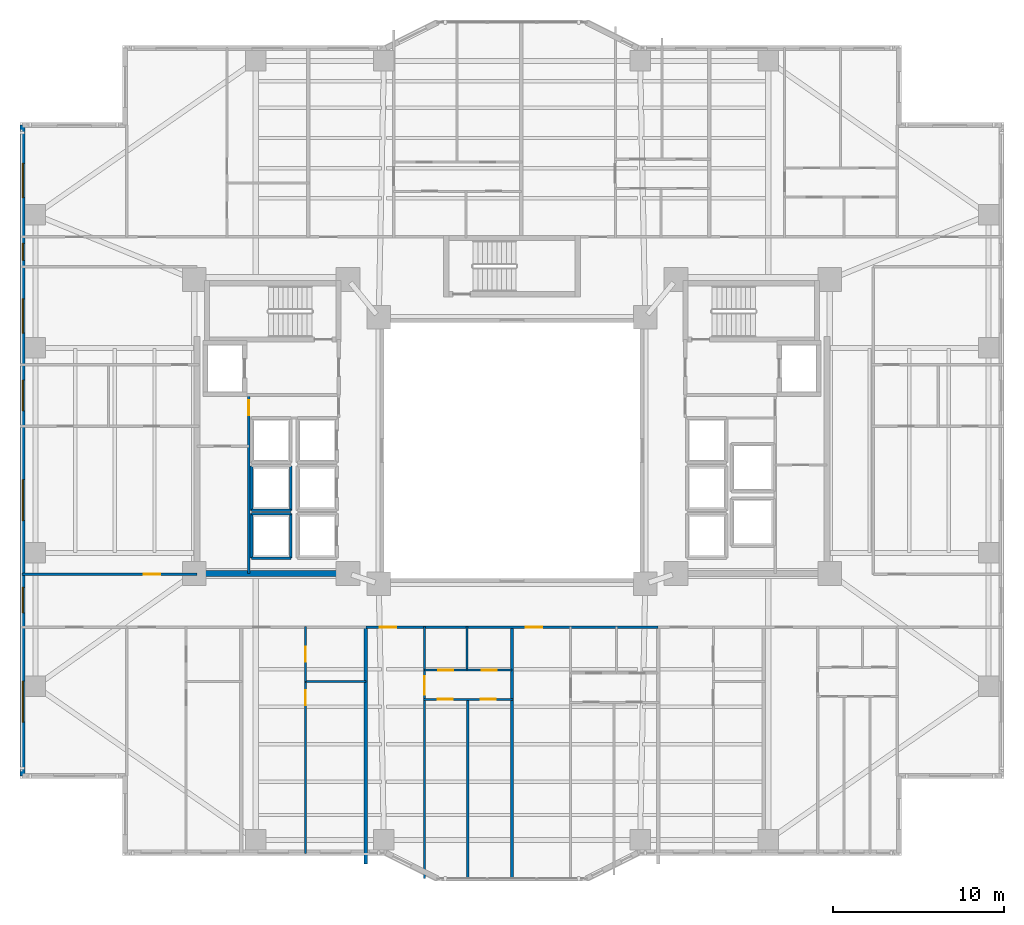
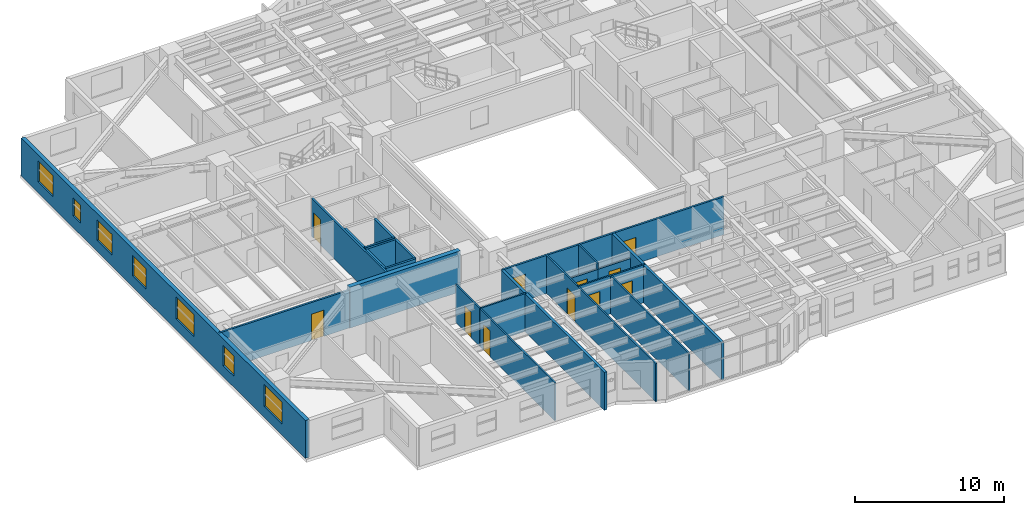
# One storey, part 10 of 21: 23 walls, 11 doors, 7 windows, 18 openings.
"""IFC4 building model written with IfcOpenShell, lengths in metres."""

from ifc_helpers import new_model, si_unit, direction, frame, frame_2d, origin, place, context, subcontext, project, spatial, rectangle, extrude, material, layer, layer_set, type_object, element, fill, save


model = new_model("IFC4")

# Units and contexts
model_context = context("Model", 3, precision=1e-05, world=origin(), true_north=direction((0.0, 1.0)))
body_context = subcontext(model_context, "Body", "Model", "MODEL_VIEW")
ifc_project = project(units=[si_unit("LENGTHUNIT", "METRE"), si_unit("AREAUNIT", "SQUARE_METRE"), si_unit("VOLUMEUNIT", "CUBIC_METRE"), si_unit("PLANEANGLEUNIT", "RADIAN"), si_unit("MASSUNIT", "GRAM", prefix="KILO")], contexts=[model_context])

# Site, building, storey
site_placement = place(None, origin())
site = spatial("IfcSite", under=ifc_project, at=site_placement, CompositionType="ELEMENT")
building_placement = place(site_placement, origin())
building = spatial("IfcBuilding", under=site, at=building_placement, Name="Tarnavaz Court Tower", CompositionType="ELEMENT")
storey_placement = place(building_placement, frame((0.0, 0.0, 24.0)))
storey = spatial("IfcBuildingStorey", under=building, at=storey_placement, Name="L05", CompositionType="ELEMENT", Elevation=24.0)

# Wall
ifc_material_1 = material(Name="Concrete C60/75", Category="concrete")
ifc_layer_1 = layer(ifc_material_1, 0.35009765625)
ifc_layer_set_1 = layer_set([ifc_layer_1], Name="Concrete C60/75")
wall_type_1 = type_object("IfcWallType", Name="WL-CORE-350-C60", PredefinedType="SHEAR", material=ifc_layer_set_1)
wall_1_placement = place(storey_placement, frame((-18.625, -7.199951171875, 0.0), z_axis=(0.0, 0.0, 1.0), x_axis=(1.0, 0.0, 0.0)))
element("IfcWall", 1, at=wall_1_placement, inside=storey, type_object=wall_type_1, Name="L05 West Core South Shear Wall 070", PredefinedType="SHEAR", context=body_context, shape_type="SweptSolid", body=[
    extrude(rectangle(XDim=8.550048828125, YDim=0.35009765625, at=frame_2d((4.27490234375, 0.0))), origin(), (0.0, 0.0, 1.0), 3.35009765625),
])

# Wall, openings, windows
ifc_material_2 = material(Name="Precast Concrete C40/50", Category="concrete")
ifc_layer_2 = layer(ifc_material_2, 0.300048828125)
ifc_layer_set_2 = layer_set([ifc_layer_2], Name="Precast Concrete C40/50")
wall_type_2 = type_object("IfcWallType", Name="WL-EXT-300", PredefinedType="SOLIDWALL", material=ifc_layer_set_2)
wall_2_placement = place(storey_placement, frame((-28.64990234375, -19.050048828125, 0.0), z_axis=(0.0, 0.0, 1.0), x_axis=(0.0, 1.0, 0.0)))
wall_2 = element("IfcWall", 2, at=wall_2_placement, inside=storey, type_object=wall_type_2, Name="L05 Exterior Terracotta Facade Wall 02", PredefinedType="SOLIDWALL", context=body_context, shape_type="SweptSolid", body=[
    extrude(rectangle(XDim=38.10009765625, YDim=0.300048828125, at=frame_2d((19.050048828125, 0.0))), origin(), (0.0, 0.0, 1.0), 3.10009765625),
])
opening_1_placement = place(wall_2_placement, frame((3.14990234375, 0.0, 0.89990234375)))
opening_1 = element("IfcOpeningElement", 3, at=opening_1_placement, cuts=wall_2, Name="Opening W06", PredefinedType="OPENING", context=body_context, shape_type="SweptSolid", body=[
    extrude(rectangle(XDim=2.39990234375, YDim=1.800048828125, at=frame_2d((1.199951171875, 0.89990234375))), frame((0.0, 0.159912109375, 0.0), z_axis=(0.0, -1.0, 0.0), x_axis=(1.0, 0.0, 0.0)), (0.0, 0.0, 1.0), 0.320068359375),
])
opening_2_placement = place(wall_2_placement, frame((9.54248046875, 0.0, 0.89990234375)))
opening_2 = element("IfcOpeningElement", 4, at=opening_2_placement, cuts=wall_2, Name="Opening W03", PredefinedType="OPENING", context=body_context, shape_type="SweptSolid", body=[
    extrude(rectangle(XDim=1.5, YDim=1.64990234375, at=frame_2d((0.75, 0.824951171875))), frame((0.0, 0.159912109375, 0.0), z_axis=(0.0, -1.0, 0.0), x_axis=(1.0, 0.0, 0.0)), (0.0, 0.0, 1.0), 0.320068359375),
])
opening_3_placement = place(wall_2_placement, frame((14.949951171875, 0.0, 0.89990234375)))
opening_3 = element("IfcOpeningElement", 5, at=opening_3_placement, cuts=wall_2, Name="Opening W06", PredefinedType="OPENING", context=body_context, shape_type="SweptSolid", body=[
    extrude(rectangle(XDim=2.39990234375, YDim=1.800048828125, at=frame_2d((1.199951171875, 0.89990234375))), frame((0.0, 0.159912109375, 0.0), z_axis=(0.0, -1.0, 0.0), x_axis=(1.0, 0.0, 0.0)), (0.0, 0.0, 1.0), 0.320068359375),
])
opening_4_placement = place(wall_2_placement, frame((21.375, 0.0, 0.89990234375)))
opening_4 = element("IfcOpeningElement", 6, at=opening_4_placement, cuts=wall_2, Name="Opening W01", PredefinedType="OPENING", context=body_context, shape_type="SweptSolid", body=[
    extrude(rectangle(XDim=1.800048828125, YDim=1.64990234375, at=frame_2d((0.89990234375, 0.824951171875))), frame((0.0, 0.159912109375, 0.0), z_axis=(0.0, -1.0, 0.0), x_axis=(1.0, 0.0, 0.0)), (0.0, 0.0, 1.0), 0.320068359375),
])
opening_5_placement = place(wall_2_placement, frame((25.925048828125, 0.0, 0.89990234375)))
opening_5 = element("IfcOpeningElement", 7, at=opening_5_placement, cuts=wall_2, Name="Opening W08", PredefinedType="OPENING", context=body_context, shape_type="SweptSolid", body=[
    extrude(rectangle(XDim=2.0, YDim=1.699951171875, at=frame_2d((1.0, 0.85009765625))), frame((0.0, 0.159912109375, 0.0), z_axis=(0.0, -1.0, 0.0), x_axis=(1.0, 0.0, 0.0)), (0.0, 0.0, 1.0), 0.320068359375),
])
opening_6_placement = place(wall_2_placement, frame((30.175048828125, 0.0, 0.949951171875)))
opening_6 = element("IfcOpeningElement", 8, at=opening_6_placement, cuts=wall_2, Name="Opening W14", PredefinedType="OPENING", context=body_context, shape_type="SweptSolid", body=[
    extrude(rectangle(XDim=1.0, YDim=1.5, at=frame_2d((0.5, 0.75))), frame((0.0, 0.159912109375, 0.0), z_axis=(0.0, -1.0, 0.0), x_axis=(1.0, 0.0, 0.0)), (0.0, 0.0, 1.0), 0.320068359375),
])
opening_7_placement = place(wall_2_placement, frame((33.85009765625, 0.0, 0.89990234375)))
opening_7 = element("IfcOpeningElement", 9, at=opening_7_placement, cuts=wall_2, Name="Opening W08", PredefinedType="OPENING", context=body_context, shape_type="SweptSolid", body=[
    extrude(rectangle(XDim=2.0, YDim=1.699951171875, at=frame_2d((1.0, 0.85009765625))), frame((0.0, 0.159912109375, 0.0), z_axis=(0.0, -1.0, 0.0), x_axis=(1.0, 0.0, 0.0)), (0.0, 0.0, 1.0), 0.320068359375),
])
ifc_material_3 = material(Name="Double-Glazed Solar Low-E Glass", Category="glass")
window_type_1 = type_object("IfcWindowType", Name="WN-APT-1000", PartitioningType="SINGLE_PANEL", PredefinedType="WINDOW", material=ifc_material_3)
window_1_placement = place(opening_6_placement, origin())
window_1 = element("IfcWindow", 10, at=window_1_placement, inside=storey, type_object=window_type_1, Name="L05 North-West Corner Corridor Window", OverallHeight=1.5, OverallWidth=1.0, PartitioningType="SINGLE_PANEL", PredefinedType="WINDOW", context=body_context, shape_type="SweptSolid", body=[
    extrude(rectangle(XDim=1.0, YDim=1.5, at=frame_2d((0.5, 0.75))), frame((0.0, 0.030029296875, 0.0), z_axis=(0.0, -1.0, 0.0), x_axis=(1.0, 0.0, 0.0)), (0.0, 0.0, 1.0), 0.06005859375),
])
fill(opening_6, window_1)
window_type_2 = type_object("IfcWindowType", Name="WN-APT-1500", PartitioningType="DOUBLE_PANEL_VERTICAL", PredefinedType="WINDOW", material=ifc_material_3)
window_2_placement = place(opening_2_placement, origin())
window_2 = element("IfcWindow", 11, at=window_2_placement, inside=storey, type_object=window_type_2, Name="L05 South-West Corner Corridor Window", OverallHeight=1.64990234375, OverallWidth=1.5, PartitioningType="SINGLE_PANEL", PredefinedType="WINDOW", context=body_context, shape_type="SweptSolid", body=[
    extrude(rectangle(XDim=1.5, YDim=1.64990234375, at=frame_2d((0.75, 0.824951171875))), frame((0.0, 0.030029296875, 0.0), z_axis=(0.0, -1.0, 0.0), x_axis=(1.0, 0.0, 0.0)), (0.0, 0.0, 1.0), 0.06005859375),
])
fill(opening_2, window_2)
window_type_3 = type_object("IfcWindowType", Name="WN-APT-1800", PartitioningType="DOUBLE_PANEL_VERTICAL", PredefinedType="WINDOW", material=ifc_material_3)
window_3_placement = place(opening_4_placement, origin())
window_3 = element("IfcWindow", 12, at=window_3_placement, inside=storey, type_object=window_type_3, Name="L05 Flat 11 Kitchen Window", OverallHeight=1.64990234375, OverallWidth=1.800048828125, PartitioningType="SINGLE_PANEL", PredefinedType="WINDOW", context=body_context, shape_type="SweptSolid", body=[
    extrude(rectangle(XDim=1.800048828125, YDim=1.64990234375, at=frame_2d((0.89990234375, 0.824951171875))), frame((0.0, 0.030029296875, 0.0), z_axis=(0.0, -1.0, 0.0), x_axis=(1.0, 0.0, 0.0)), (0.0, 0.0, 1.0), 0.06005859375),
])
fill(opening_4, window_3)
window_type_4 = type_object("IfcWindowType", Name="WN-APT-2000", PartitioningType="DOUBLE_PANEL_VERTICAL", PredefinedType="WINDOW", material=ifc_material_3)
window_4_placement = place(opening_5_placement, origin())
window_4 = element("IfcWindow", 13, at=window_4_placement, inside=storey, type_object=window_type_4, Name="L05 Flat 11 Study Room Window", OverallHeight=1.699951171875, OverallWidth=2.0, PartitioningType="SINGLE_PANEL", PredefinedType="WINDOW", context=body_context, shape_type="SweptSolid", body=[
    extrude(rectangle(XDim=2.0, YDim=1.699951171875, at=frame_2d((1.0, 0.85009765625))), frame((0.0, 0.030029296875, 0.0), z_axis=(0.0, -1.0, 0.0), x_axis=(1.0, 0.0, 0.0)), (0.0, 0.0, 1.0), 0.06005859375),
])
fill(opening_5, window_4)
window_5_placement = place(opening_7_placement, origin())
window_5 = element("IfcWindow", 14, at=window_5_placement, inside=storey, type_object=window_type_4, Name="L05 North-West Corner Sunroom Study Window", OverallHeight=1.699951171875, OverallWidth=2.0, PartitioningType="SINGLE_PANEL", PredefinedType="WINDOW", context=body_context, shape_type="SweptSolid", body=[
    extrude(rectangle(XDim=2.0, YDim=1.699951171875, at=frame_2d((1.0, 0.85009765625))), frame((0.0, 0.030029296875, 0.0), z_axis=(0.0, -1.0, 0.0), x_axis=(1.0, 0.0, 0.0)), (0.0, 0.0, 1.0), 0.06005859375),
])
fill(opening_7, window_5)
window_type_5 = type_object("IfcWindowType", Name="WN-APT-2400", PartitioningType="TRIPLE_PANEL_VERTICAL", PredefinedType="WINDOW", material=ifc_material_3)
window_6_placement = place(opening_1_placement, origin())
window_6 = element("IfcWindow", 15, at=window_6_placement, inside=storey, type_object=window_type_5, Name="L05 South-West Corner Reading Room Window", OverallHeight=1.800048828125, OverallWidth=2.39990234375, PartitioningType="SINGLE_PANEL", PredefinedType="WINDOW", context=body_context, shape_type="SweptSolid", body=[
    extrude(rectangle(XDim=2.39990234375, YDim=1.800048828125, at=frame_2d((1.199951171875, 0.89990234375))), frame((0.0, 0.030029296875, 0.0), z_axis=(0.0, -1.0, 0.0), x_axis=(1.0, 0.0, 0.0)), (0.0, 0.0, 1.0), 0.06005859375),
])
fill(opening_1, window_6)
window_7_placement = place(opening_3_placement, origin())
window_7 = element("IfcWindow", 16, at=window_7_placement, inside=storey, type_object=window_type_5, Name="L05 Flat 11 Studio Living and Sleeping Room Window", OverallHeight=1.800048828125, OverallWidth=2.39990234375, PartitioningType="SINGLE_PANEL", PredefinedType="WINDOW", context=body_context, shape_type="SweptSolid", body=[
    extrude(rectangle(XDim=2.39990234375, YDim=1.800048828125, at=frame_2d((1.199951171875, 0.89990234375))), frame((0.0, 0.030029296875, 0.0), z_axis=(0.0, -1.0, 0.0), x_axis=(1.0, 0.0, 0.0)), (0.0, 0.0, 1.0), 0.06005859375),
])
fill(opening_3, window_7)

# Wall, openings, doors
ifc_material_4 = material(Name="Gypsum Fire-Board on Acoustic Metal Stud", Category="masonry")
ifc_layer_3 = layer(ifc_material_4, 0.14990234375)
ifc_layer_set_3 = layer_set([ifc_layer_3], Name="Gypsum Fire-Board on Acoustic Metal Stud")
wall_type_3 = type_object("IfcWallType", Name="WL-FIRE-150", PredefinedType="PARTITIONING", material=ifc_layer_set_3)
wall_3_placement = place(storey_placement, frame((-8.550048828125, -10.35009765625, 0.0), z_axis=(0.0, 0.0, 1.0), x_axis=(1.0, 0.0, 0.0)))
wall_3 = element("IfcWall", 17, at=wall_3_placement, inside=storey, type_object=wall_type_3, Name="L05 South Ring Corridor Wall 085", PredefinedType="PARTITIONING", context=body_context, shape_type="SweptSolid", body=[
    extrude(rectangle(XDim=17.10009765625, YDim=0.14990234375, at=frame_2d((8.550048828125, 0.0))), origin(), (0.0, 0.0, 1.0), 3.10009765625),
])
opening_8_placement = place(wall_3_placement, frame((0.800048828125, 0.0, 0.0)))
opening_8 = element("IfcOpeningElement", 18, at=opening_8_placement, cuts=wall_3, Name="Opening D06", PredefinedType="OPENING", context=body_context, shape_type="SweptSolid", body=[
    extrude(rectangle(XDim=0.9599609375, YDim=2.14990234375, at=frame_2d((0.47998046875, 1.074951171875))), frame((0.0, 0.0849609375, 0.0), z_axis=(0.0, -1.0, 0.0), x_axis=(1.0, 0.0, 0.0)), (0.0, 0.0, 1.0), 0.169921875),
])
opening_9_placement = place(wall_3_placement, frame((9.35009765625, 0.0, 0.0)))
opening_9 = element("IfcOpeningElement", 19, at=opening_9_placement, cuts=wall_3, Name="Opening D06", PredefinedType="OPENING", context=body_context, shape_type="SweptSolid", body=[
    extrude(rectangle(XDim=0.9599609375, YDim=2.14990234375, at=frame_2d((0.47998046875, 1.074951171875))), frame((0.0, 0.0849609375, 0.0), z_axis=(0.0, -1.0, 0.0), x_axis=(1.0, 0.0, 0.0)), (0.0, 0.0, 1.0), 0.169921875),
])
ifc_material_5 = material(Name="Fire-Rated Hardwood Timber Core", Category="wood")
door_type_1 = type_object("IfcDoorType", Name="DR-FD60-950", OperationType="NOTDEFINED", PredefinedType="DOOR", material=ifc_material_5)
door_1_placement = place(opening_8_placement, origin())
door_1 = element("IfcDoor", 20, at=door_1_placement, inside=storey, type_object=door_type_1, Name="L05 Flat 09 Entrance Door", OperationType="SINGLE_SWING_RIGHT", OverallHeight=2.14990234375, OverallWidth=0.9599609375, PredefinedType="DOOR", context=body_context, shape_type="SweptSolid", body=[
    extrude(rectangle(XDim=0.9599609375, YDim=2.14990234375, at=frame_2d((0.47998046875, 1.074951171875))), frame((0.0, 0.02490234375, 0.0), z_axis=(0.0, -1.0, 0.0), x_axis=(1.0, 0.0, 0.0)), (0.0, 0.0, 1.0), 0.050048828125),
])
fill(opening_8, door_1)
door_2_placement = place(opening_9_placement, origin())
door_2 = element("IfcDoor", 21, at=door_2_placement, inside=storey, type_object=door_type_1, Name="L05 Flat 10 Entrance Door", OperationType="SINGLE_SWING_RIGHT", OverallHeight=2.14990234375, OverallWidth=0.9599609375, PredefinedType="DOOR", context=body_context, shape_type="SweptSolid", body=[
    extrude(rectangle(XDim=0.9599609375, YDim=2.14990234375, at=frame_2d((0.47998046875, 1.074951171875))), frame((0.0, 0.02490234375, 0.0), z_axis=(0.0, -1.0, 0.0), x_axis=(1.0, 0.0, 0.0)), (0.0, 0.0, 1.0), 0.050048828125),
])
fill(opening_9, door_2)

# Wall, opening, door
wall_4_placement = place(storey_placement, frame((-28.679931640625, -7.25, 0.0), z_axis=(0.0, 0.0, 1.0), x_axis=(1.0, 0.0, 0.0)))
wall_4 = element("IfcWall", 22, at=wall_4_placement, inside=storey, type_object=wall_type_3, Name="L05 Interior Partition 144", PredefinedType="PARTITIONING", context=body_context, shape_type="SweptSolid", body=[
    extrude(rectangle(XDim=10.22998046875, YDim=0.14990234375, at=frame_2d((5.114990234375, 0.0))), origin(), (0.0, 0.0, 1.0), 3.10009765625),
])
opening_10_placement = place(wall_4_placement, frame((7.1298828125, 0.0, 0.0)))
opening_10 = element("IfcOpeningElement", 23, at=opening_10_placement, cuts=wall_4, Name="Opening D06", PredefinedType="OPENING", context=body_context, shape_type="SweptSolid", body=[
    extrude(rectangle(XDim=0.9599609375, YDim=2.14990234375, at=frame_2d((0.47998046875, 1.074951171875))), frame((0.0, 0.0849609375, 0.0), z_axis=(0.0, -1.0, 0.0), x_axis=(1.0, 0.0, 0.0)), (0.0, 0.0, 1.0), 0.169921875),
])
door_3_placement = place(opening_10_placement, origin())
door_3 = element("IfcDoor", 24, at=door_3_placement, inside=storey, type_object=door_type_1, Name="L05 Flat 11 Entrance Door", OperationType="SINGLE_SWING_RIGHT", OverallHeight=2.14990234375, OverallWidth=0.9599609375, PredefinedType="DOOR", context=body_context, shape_type="SweptSolid", body=[
    extrude(rectangle(XDim=0.9599609375, YDim=2.14990234375, at=frame_2d((0.47998046875, 1.074951171875))), frame((0.0, 0.02490234375, 0.0), z_axis=(0.0, -1.0, 0.0), x_axis=(1.0, 0.0, 0.0)), (0.0, 0.0, 1.0), 0.050048828125),
])
fill(opening_10, door_3)

# Walls
ifc_material_6 = material(Name="Autoclaved Aerated Concrete Blockwork", Category="masonry")
ifc_layer_4 = layer(ifc_material_6, 0.199951171875)
ifc_layer_set_4 = layer_set([ifc_layer_4], Name="Autoclaved Aerated Concrete Blockwork")
wall_type_4 = type_object("IfcWallType", Name="WL-FIRE-200", PredefinedType="SOLIDWALL", material=ifc_layer_set_4)
wall_5_placement = place(storey_placement, frame((-8.550048828125, -24.2041015625, 0.0), z_axis=(0.0, 0.0, 1.0), x_axis=(0.0, 1.0, 0.0)))
element("IfcWall", 25, at=wall_5_placement, inside=storey, type_object=wall_type_4, Name="L05 Party Wall 129", PredefinedType="SOLIDWALL", context=body_context, shape_type="SweptSolid", body=[
    extrude(rectangle(XDim=13.85400390625, YDim=0.199951171875, at=frame_2d((6.927001953125, 0.0))), origin(), (0.0, 0.0, 1.0), 3.10009765625),
])
wall_6_placement = place(storey_placement, frame((0.0, -25.080078125, 0.0), z_axis=(0.0, 0.0, 1.0), x_axis=(0.0, 1.0, 0.0)))
element("IfcWall", 26, at=wall_6_placement, inside=storey, type_object=wall_type_4, Name="L05 Party Wall 131", PredefinedType="SOLIDWALL", context=body_context, shape_type="SweptSolid", body=[
    extrude(rectangle(XDim=14.72998046875, YDim=0.199951171875, at=frame_2d((7.364990234375, 0.0))), origin(), (0.0, 0.0, 1.0), 3.10009765625),
])

# Wall, opening, door
ifc_material_7 = material(Name="Moisture-Resistant Gypsum Board Partition", Category="masonry")
ifc_layer_5 = layer(ifc_material_7, 0.1201171875)
ifc_layer_set_5 = layer_set([ifc_layer_5], Name="Moisture-Resistant Gypsum Board Partition")
wall_type_5 = type_object("IfcWallType", Name="WL-PART-120", PredefinedType="PARTITIONING", material=ifc_layer_set_5)
wall_7_placement = place(storey_placement, frame((-12.083984375, -23.60009765625, 0.0), z_axis=(0.0, 0.0, 1.0), x_axis=(0.0, 1.0, 0.0)))
wall_7 = element("IfcWall", 27, at=wall_7_placement, inside=storey, type_object=wall_type_5, Name="L05 Interior Partition 115", PredefinedType="PARTITIONING", context=body_context, shape_type="SweptSolid", body=[
    extrude(rectangle(XDim=10.090087890625, YDim=0.1201171875, at=frame_2d((5.044921875, 0.0))), origin(), (0.0, 0.0, 1.0), 3.10009765625),
])
opening_11_placement = place(wall_7_placement, frame((8.68994140625, 0.0, 0.0)))
opening_11 = element("IfcOpeningElement", 28, at=opening_11_placement, cuts=wall_7, Name="Opening D14", PredefinedType="OPENING", context=body_context, shape_type="SweptSolid", body=[
    extrude(rectangle(XDim=0.8798828125, YDim=2.10009765625, at=frame_2d((0.43994140625, 1.050048828125))), frame((0.0, 0.070068359375, 0.0), z_axis=(0.0, -1.0, 0.0), x_axis=(1.0, 0.0, 0.0)), (0.0, 0.0, 1.0), 0.14013671875),
])
ifc_material_8 = material(Name="Engineered Oak Timber", Category="wood")
door_type_2 = type_object("IfcDoorType", Name="DR-INT-900", OperationType="NOTDEFINED", PredefinedType="DOOR", material=ifc_material_8)
door_4_placement = place(opening_11_placement, origin())
door_4 = element("IfcDoor", 29, at=door_4_placement, inside=storey, type_object=door_type_2, Name="L05 Flat 06 Kitchen Door", OperationType="SINGLE_SWING_RIGHT", OverallHeight=2.10009765625, OverallWidth=0.8798828125, PredefinedType="DOOR", context=body_context, shape_type="SweptSolid", body=[
    extrude(rectangle(XDim=0.8798828125, YDim=2.10009765625, at=frame_2d((0.43994140625, 1.050048828125))), frame((0.0, 0.02490234375, 0.0), z_axis=(0.0, -1.0, 0.0), x_axis=(1.0, 0.0, 0.0)), (0.0, 0.0, 1.0), 0.050048828125),
])
fill(opening_11, door_4)

wall_8_placement = place(storey_placement, frame((-12.083984375, -13.510009765625, 0.0), z_axis=(0.0, 0.0, 1.0), x_axis=(0.0, 1.0, 0.0)))
wall_8 = element("IfcWall", 30, at=wall_8_placement, inside=storey, type_object=wall_type_5, Name="L05 Interior Partition 116", PredefinedType="PARTITIONING", context=body_context, shape_type="SweptSolid", body=[
    extrude(rectangle(XDim=3.219970703125, YDim=0.1201171875, at=frame_2d((1.60986328125, 0.0))), origin(), (0.0, 0.0, 1.0), 3.10009765625),
])
opening_12_placement = place(wall_8_placement, frame((1.139892578125, 0.0, 0.0)))
opening_12 = element("IfcOpeningElement", 31, at=opening_12_placement, cuts=wall_8, Name="Opening D14", PredefinedType="OPENING", context=body_context, shape_type="SweptSolid", body=[
    extrude(rectangle(XDim=0.8798828125, YDim=2.10009765625, at=frame_2d((0.43994140625, 1.050048828125))), frame((0.0, 0.070068359375, 0.0), z_axis=(0.0, -1.0, 0.0), x_axis=(1.0, 0.0, 0.0)), (0.0, 0.0, 1.0), 0.14013671875),
])
door_5_placement = place(opening_12_placement, origin())
door_5 = element("IfcDoor", 32, at=door_5_placement, inside=storey, type_object=door_type_2, Name="L05 Flat 06 Bathroom Door", OperationType="SINGLE_SWING_LEFT", OverallHeight=2.10009765625, OverallWidth=0.8798828125, PredefinedType="DOOR", context=body_context, shape_type="SweptSolid", body=[
    extrude(rectangle(XDim=0.8798828125, YDim=2.10009765625, at=frame_2d((0.43994140625, 1.050048828125))), frame((0.0, 0.02490234375, 0.0), z_axis=(0.0, -1.0, 0.0), x_axis=(1.0, 0.0, 0.0)), (0.0, 0.0, 1.0), 0.050048828125),
])
fill(opening_12, door_5)

# Wall
wall_9_placement = place(storey_placement, frame((-12.14404296875, -13.510009765625, 0.0), z_axis=(0.0, 0.0, 1.0), x_axis=(1.0, 0.0, 0.0)))
element("IfcWall", 33, at=wall_9_placement, inside=storey, type_object=wall_type_5, Name="L05 Interior Partition 117", PredefinedType="PARTITIONING", context=body_context, shape_type="SweptSolid", body=[
    extrude(rectangle(XDim=3.60400390625, YDim=0.1201171875, at=frame_2d((1.802001953125, 0.0))), origin(), (0.0, 0.0, 1.0), 3.10009765625),
])

# Wall, opening, door
wall_10_placement = place(storey_placement, frame((-5.117919921875, -25.051025390625, 0.0), z_axis=(0.0, 0.0, 1.0), x_axis=(0.0, 1.0, 0.0)))
wall_10 = element("IfcWall", 34, at=wall_10_placement, inside=storey, type_object=wall_type_5, Name="L05 Interior Partition 132", PredefinedType="PARTITIONING", context=body_context, shape_type="SweptSolid", body=[
    extrude(rectangle(XDim=14.760986328125, YDim=0.1201171875, at=frame_2d((7.38037109375, 0.0))), origin(), (0.0, 0.0, 1.0), 3.10009765625),
])
opening_13_placement = place(wall_10_placement, frame((10.76611328125, 0.0, 0.0)))
opening_13 = element("IfcOpeningElement", 35, at=opening_13_placement, cuts=wall_10, Name="Opening D12", PredefinedType="OPENING", context=body_context, shape_type="SweptSolid", body=[
    extrude(rectangle(XDim=1.080078125, YDim=2.14990234375, at=frame_2d((0.5400390625, 1.074951171875))), frame((0.0, 0.070068359375, 0.0), z_axis=(0.0, -1.0, 0.0), x_axis=(1.0, 0.0, 0.0)), (0.0, 0.0, 1.0), 0.14013671875),
])
door_type_3 = type_object("IfcDoorType", Name="DR-INT-1100", OperationType="NOTDEFINED", PredefinedType="DOOR", material=ifc_material_8)
door_6_placement = place(opening_13_placement, origin())
door_6 = element("IfcDoor", 36, at=door_6_placement, inside=storey, type_object=door_type_3, Name="L05 Flat 09 Foyer Door", OperationType="SINGLE_SWING_LEFT", OverallHeight=2.14990234375, OverallWidth=1.080078125, PredefinedType="DOOR", context=body_context, shape_type="SweptSolid", body=[
    extrude(rectangle(XDim=1.080078125, YDim=2.14990234375, at=frame_2d((0.5400390625, 1.074951171875))), frame((0.0, 0.02490234375, 0.0), z_axis=(0.0, -1.0, 0.0), x_axis=(1.0, 0.0, 0.0)), (0.0, 0.0, 1.0), 0.050048828125),
])
fill(opening_13, door_6)

wall_11_placement = place(storey_placement, frame((-5.117919921875, -12.860107421875, 0.0), z_axis=(0.0, 0.0, 1.0), x_axis=(1.0, 0.0, 0.0)))
wall_11 = element("IfcWall", 37, at=wall_11_placement, inside=storey, type_object=wall_type_5, Name="L05 Interior Partition 133", PredefinedType="PARTITIONING", context=body_context, shape_type="SweptSolid", body=[
    extrude(rectangle(XDim=2.47802734375, YDim=0.1201171875, at=frame_2d((1.239013671875, 0.0))), origin(), (0.0, 0.0, 1.0), 2.5849609375),
])
opening_14_placement = place(wall_11_placement, frame((0.799072265625, 0.0, 0.0)))
opening_14 = element("IfcOpeningElement", 38, at=opening_14_placement, cuts=wall_11, Name="Opening D14", PredefinedType="OPENING", context=body_context, shape_type="SweptSolid", body=[
    extrude(rectangle(XDim=0.8798828125, YDim=2.10009765625, at=frame_2d((0.43994140625, 1.050048828125))), frame((0.0, 0.070068359375, 0.0), z_axis=(0.0, -1.0, 0.0), x_axis=(1.0, 0.0, 0.0)), (0.0, 0.0, 1.0), 0.14013671875),
])
door_7_placement = place(opening_14_placement, origin())
door_7 = element("IfcDoor", 39, at=door_7_placement, inside=storey, type_object=door_type_2, Name="L05 Flat 09 Kitchen Door", OperationType="SINGLE_SWING_RIGHT", OverallHeight=2.10009765625, OverallWidth=0.8798828125, PredefinedType="DOOR", context=body_context, shape_type="SweptSolid", body=[
    extrude(rectangle(XDim=0.8798828125, YDim=2.10009765625, at=frame_2d((0.43994140625, 1.050048828125))), frame((0.0, 0.02490234375, 0.0), z_axis=(0.0, -1.0, 0.0), x_axis=(1.0, 0.0, 0.0)), (0.0, 0.0, 1.0), 0.050048828125),
])
fill(opening_14, door_7)

wall_12_placement = place(storey_placement, frame((-2.639892578125, -12.860107421875, 0.0), z_axis=(0.0, 0.0, 1.0), x_axis=(1.0, 0.0, 0.0)))
wall_12 = element("IfcWall", 40, at=wall_12_placement, inside=storey, type_object=wall_type_5, Name="L05 Interior Partition 134", PredefinedType="PARTITIONING", context=body_context, shape_type="SweptSolid", body=[
    extrude(rectangle(XDim=2.639892578125, YDim=0.1201171875, at=frame_2d((1.31982421875, 0.0))), origin(), (0.0, 0.0, 1.0), 2.5849609375),
])
opening_15_placement = place(wall_12_placement, frame((0.8798828125, 0.0, 0.0)))
opening_15 = element("IfcOpeningElement", 41, at=opening_15_placement, cuts=wall_12, Name="Opening D14", PredefinedType="OPENING", context=body_context, shape_type="SweptSolid", body=[
    extrude(rectangle(XDim=0.8798828125, YDim=2.10009765625, at=frame_2d((0.43994140625, 1.050048828125))), frame((0.0, 0.070068359375, 0.0), z_axis=(0.0, -1.0, 0.0), x_axis=(1.0, 0.0, 0.0)), (0.0, 0.0, 1.0), 0.14013671875),
])
door_8_placement = place(opening_15_placement, origin())
door_8 = element("IfcDoor", 42, at=door_8_placement, inside=storey, type_object=door_type_2, Name="L05 Flat 09 Bathroom Door", OperationType="SINGLE_SWING_LEFT", OverallHeight=2.10009765625, OverallWidth=0.8798828125, PredefinedType="DOOR", context=body_context, shape_type="SweptSolid", body=[
    extrude(rectangle(XDim=0.8798828125, YDim=2.10009765625, at=frame_2d((0.43994140625, 1.050048828125))), frame((0.0, 0.02490234375, 0.0), z_axis=(0.0, -1.0, 0.0), x_axis=(1.0, 0.0, 0.0)), (0.0, 0.0, 1.0), 0.050048828125),
])
fill(opening_15, door_8)

# Wall, openings, doors
wall_13_placement = place(storey_placement, frame((-5.177978515625, -14.570068359375, 0.0), z_axis=(0.0, 0.0, 1.0), x_axis=(1.0, 0.0, 0.0)))
wall_13 = element("IfcWall", 43, at=wall_13_placement, inside=storey, type_object=wall_type_5, Name="L05 Interior Partition 135", PredefinedType="PARTITIONING", context=body_context, shape_type="SweptSolid", body=[
    extrude(rectangle(XDim=5.238037109375, YDim=0.1201171875, at=frame_2d((2.619140625, 0.0))), origin(), (0.0, 0.0, 1.0), 3.10009765625),
])
opening_16_placement = place(wall_13_placement, frame((0.824951171875, 0.0, 0.0)))
opening_16 = element("IfcOpeningElement", 44, at=opening_16_placement, cuts=wall_13, Name="Opening D14", PredefinedType="OPENING", context=body_context, shape_type="SweptSolid", body=[
    extrude(rectangle(XDim=0.8798828125, YDim=2.10009765625, at=frame_2d((0.43994140625, 1.050048828125))), frame((0.0, 0.070068359375, 0.0), z_axis=(0.0, -1.0, 0.0), x_axis=(1.0, 0.0, 0.0)), (0.0, 0.0, 1.0), 0.14013671875),
])
opening_17_placement = place(wall_13_placement, frame((3.35400390625, 0.0, 0.0)))
opening_17 = element("IfcOpeningElement", 45, at=opening_17_placement, cuts=wall_13, Name="Opening D14", PredefinedType="OPENING", context=body_context, shape_type="SweptSolid", body=[
    extrude(rectangle(XDim=0.8798828125, YDim=2.10009765625, at=frame_2d((0.43994140625, 1.050048828125))), frame((0.0, 0.070068359375, 0.0), z_axis=(0.0, -1.0, 0.0), x_axis=(1.0, 0.0, 0.0)), (0.0, 0.0, 1.0), 0.14013671875),
])
door_9_placement = place(opening_16_placement, origin())
door_9 = element("IfcDoor", 46, at=door_9_placement, inside=storey, type_object=door_type_2, Name="L05 Flat 09 Bedroom 1 Door", OperationType="SINGLE_SWING_RIGHT", OverallHeight=2.10009765625, OverallWidth=0.8798828125, PredefinedType="DOOR", context=body_context, shape_type="SweptSolid", body=[
    extrude(rectangle(XDim=0.8798828125, YDim=2.10009765625, at=frame_2d((0.43994140625, 1.050048828125))), frame((0.0, 0.02490234375, 0.0), z_axis=(0.0, -1.0, 0.0), x_axis=(1.0, 0.0, 0.0)), (0.0, 0.0, 1.0), 0.050048828125),
])
fill(opening_16, door_9)
door_10_placement = place(opening_17_placement, origin())
door_10 = element("IfcDoor", 47, at=door_10_placement, inside=storey, type_object=door_type_2, Name="L05 Flat 09 Bedroom 2 Door", OperationType="SINGLE_SWING_LEFT", OverallHeight=2.10009765625, OverallWidth=0.8798828125, PredefinedType="DOOR", context=body_context, shape_type="SweptSolid", body=[
    extrude(rectangle(XDim=0.8798828125, YDim=2.10009765625, at=frame_2d((0.43994140625, 1.050048828125))), frame((0.0, 0.02490234375, 0.0), z_axis=(0.0, -1.0, 0.0), x_axis=(1.0, 0.0, 0.0)), (0.0, 0.0, 1.0), 0.050048828125),
])
fill(opening_17, door_10)

# Walls
wall_14_placement = place(storey_placement, frame((-2.639892578125, -12.919921875, 0.0), z_axis=(0.0, 0.0, 1.0), x_axis=(0.0, 1.0, 0.0)))
element("IfcWall", 48, at=wall_14_placement, inside=storey, type_object=wall_type_5, Name="L05 Interior Partition 136", PredefinedType="PARTITIONING", context=body_context, shape_type="SweptSolid", body=[
    extrude(rectangle(XDim=2.6298828125, YDim=0.1201171875, at=frame_2d((1.31494140625, 0.0))), origin(), (0.0, 0.0, 1.0), 3.10009765625),
])
wall_15_placement = place(storey_placement, frame((-2.589111328125, -25.080078125, 0.0), z_axis=(0.0, 0.0, 1.0), x_axis=(0.0, 1.0, 0.0)))
element("IfcWall", 49, at=wall_15_placement, inside=storey, type_object=wall_type_5, Name="L05 Interior Partition 137", PredefinedType="PARTITIONING", context=body_context, shape_type="SweptSolid", body=[
    extrude(rectangle(XDim=10.570068359375, YDim=0.1201171875, at=frame_2d((5.28515625, 0.0))), origin(), (0.0, 0.0, 1.0), 3.10009765625),
])

# Wall, opening, door
ifc_material_9 = material(Name="Gypsum Plasterboard Acoustic Partition", Category="masonry")
ifc_layer_6 = layer(ifc_material_9, 0.139892578125)
ifc_layer_set_6 = layer_set([ifc_layer_6], Name="Gypsum Plasterboard Acoustic Partition")
wall_type_6 = type_object("IfcWallType", Name="WL-PART-150", PredefinedType="PARTITIONING", material=ifc_layer_set_6)
wall_16_placement = place(storey_placement, frame((-15.39990234375, -7.199951171875, 0.0), z_axis=(0.0, 0.0, 1.0), x_axis=(0.0, 1.0, 0.0)))
wall_16 = element("IfcWall", 50, at=wall_16_placement, inside=storey, type_object=wall_type_6, Name="L05 Interior Partition 075", PredefinedType="PARTITIONING", context=body_context, shape_type="SweptSolid", body=[
    extrude(rectangle(XDim=10.449951171875, YDim=0.139892578125, at=frame_2d((5.22509765625, 0.0))), origin(), (0.0, 0.0, 1.0), 3.10009765625),
])
opening_18_placement = place(wall_16_placement, frame((9.25, 0.0, 0.0)))
opening_18 = element("IfcOpeningElement", 51, at=opening_18_placement, cuts=wall_16, Name="Opening D09", PredefinedType="OPENING", context=body_context, shape_type="SweptSolid", body=[
    extrude(rectangle(XDim=0.89990234375, YDim=2.080078125, at=frame_2d((0.449951171875, 1.0400390625))), frame((0.0, 0.079833984375, 0.0), z_axis=(0.0, -1.0, 0.0), x_axis=(1.0, 0.0, 0.0)), (0.0, 0.0, 1.0), 0.159912109375),
])
door_type_4 = type_object("IfcDoorType", Name="DR-FD30-900", OperationType="NOTDEFINED", PredefinedType="DOOR", material=ifc_material_5)
door_11_placement = place(opening_18_placement, origin())
door_11 = element("IfcDoor", 52, at=door_11_placement, inside=storey, type_object=door_type_4, Name="L05 West Data Room Door", OperationType="SINGLE_SWING_RIGHT", OverallHeight=2.080078125, OverallWidth=0.89990234375, PredefinedType="DOOR", context=body_context, shape_type="SweptSolid", body=[
    extrude(rectangle(XDim=0.89990234375, YDim=2.080078125, at=frame_2d((0.449951171875, 1.0400390625))), frame((0.0, 0.02490234375, 0.0), z_axis=(0.0, -1.0, 0.0), x_axis=(1.0, 0.0, 0.0)), (0.0, 0.0, 1.0), 0.050048828125),
])
fill(opening_18, door_11)

# Walls
ifc_layer_7 = layer(ifc_material_6, 0.159912109375)
ifc_layer_set_7 = layer_set([ifc_layer_7], Name="Autoclaved Aerated Concrete Blockwork")
wall_type_7 = type_object("IfcWallType", Name="WL-SHAFT-150", PredefinedType="SOLIDWALL", material=ifc_layer_set_7)
for number, where, z_axis, x_axis, name in (
    (53, (-15.25, -6.300048828125, 0.0), (0.0, 0.0, 1.0), (0.0, 1.0, 0.0), "L05 Lift PL-H1 Shaft Wall 033"),
    (54, (-12.949951171875, -6.300048828125, 0.0), (0.0, 0.0, 1.0), (0.0, 1.0, 0.0), "L05 Lift PL-H1 Shaft Wall 034"),
):
    element("IfcWall", number, at=place(storey_placement, frame(where, z_axis=z_axis, x_axis=x_axis)), inside=storey, type_object=wall_type_7, Name=name, PredefinedType="SOLIDWALL", context=body_context, shape_type="SweptSolid", body=[
        extrude(rectangle(XDim=2.60009765625, YDim=0.159912109375, at=frame_2d((1.300048828125, 0.0))), origin(), (0.0, 0.0, 1.0), 3.10009765625),
    ])
for number, where, z_axis, x_axis, name in (
    (55, (-15.25, -6.300048828125, 0.0), (0.0, 0.0, 1.0), (1.0, 0.0, 0.0), "L05 Lift PL-H1 Shaft Wall 035"),
    (56, (-15.25, -3.699951171875, 0.0), (0.0, 0.0, 1.0), (1.0, 0.0, 0.0), "L05 Lift PL-H1 Shaft Wall 036"),
):
    element("IfcWall", number, at=place(storey_placement, frame(where, z_axis=z_axis, x_axis=x_axis)), inside=storey, type_object=wall_type_7, Name=name, PredefinedType="SOLIDWALL", context=body_context, shape_type="SweptSolid", body=[
        extrude(rectangle(XDim=2.300048828125, YDim=0.159912109375, at=frame_2d((1.14990234375, 0.0))), origin(), (0.0, 0.0, 1.0), 3.10009765625),
    ])
for number, where, z_axis, x_axis, name in (
    (57, (-15.25, -3.5, 0.0), (0.0, 0.0, 1.0), (0.0, 1.0, 0.0), "L05 Lift PL-H2 Shaft Wall 037"),
    (58, (-12.949951171875, -3.5, 0.0), (0.0, 0.0, 1.0), (0.0, 1.0, 0.0), "L05 Lift PL-H2 Shaft Wall 038"),
):
    element("IfcWall", number, at=place(storey_placement, frame(where, z_axis=z_axis, x_axis=x_axis)), inside=storey, type_object=wall_type_7, Name=name, PredefinedType="SOLIDWALL", context=body_context, shape_type="SweptSolid", body=[
        extrude(rectangle(XDim=2.60009765625, YDim=0.159912109375, at=frame_2d((1.300048828125, 0.0))), origin(), (0.0, 0.0, 1.0), 3.10009765625),
    ])
wall_17_placement = place(storey_placement, frame((-15.25, -3.5, 0.0), z_axis=(0.0, 0.0, 1.0), x_axis=(1.0, 0.0, 0.0)))
element("IfcWall", 59, at=wall_17_placement, inside=storey, type_object=wall_type_7, Name="L05 Lift PL-H2 Shaft Wall 039", PredefinedType="SOLIDWALL", context=body_context, shape_type="SweptSolid", body=[
    extrude(rectangle(XDim=2.300048828125, YDim=0.159912109375, at=frame_2d((1.14990234375, 0.0))), origin(), (0.0, 0.0, 1.0), 3.10009765625),
])

save(model, "model.ifc")
